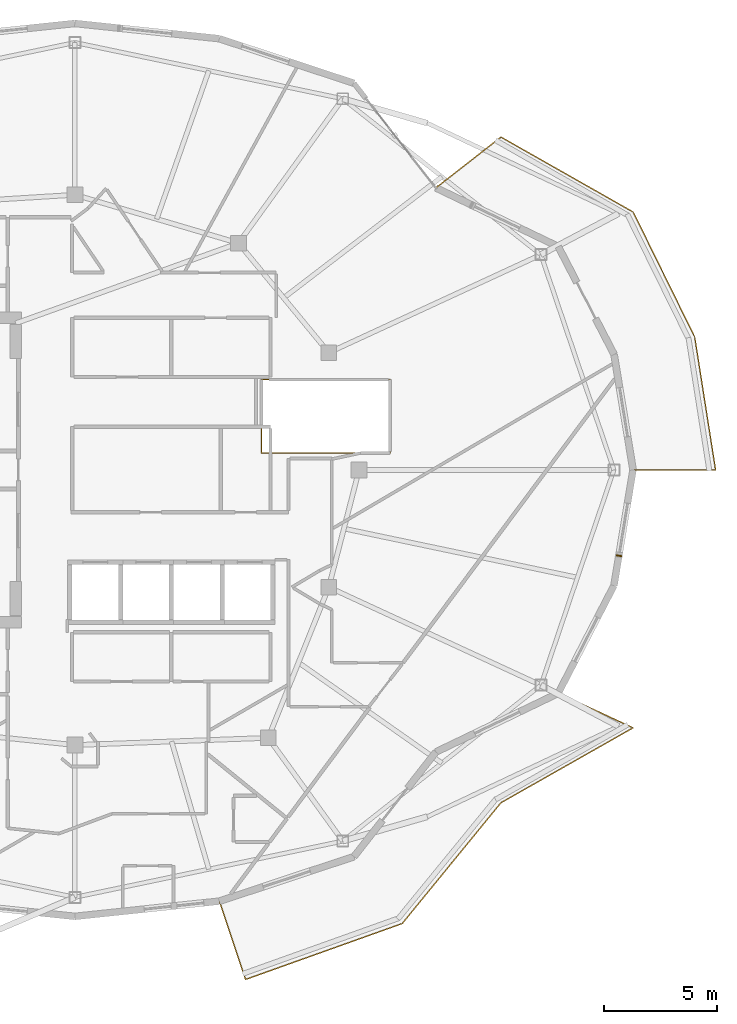
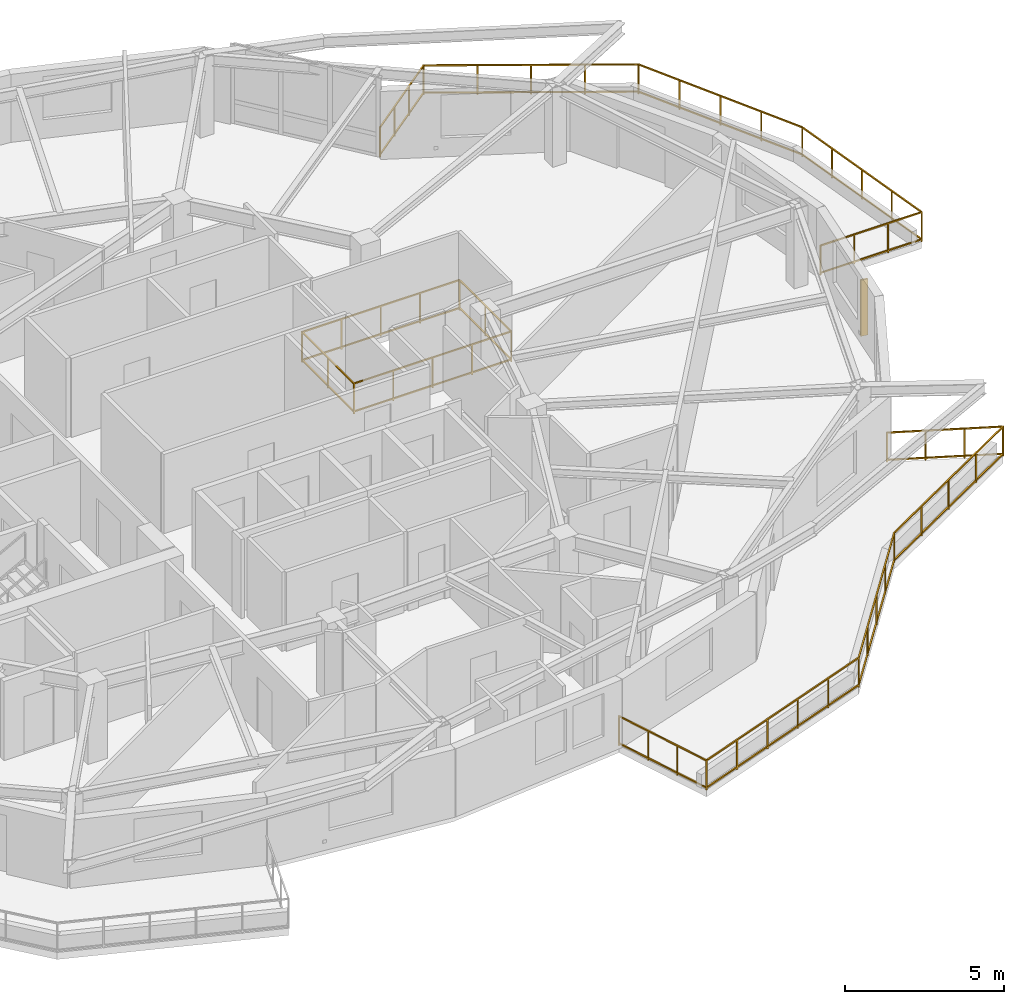
# One storey, part 11 of 12: 3 railings, 1 shading device.
"""IFC4 building model written with IfcOpenShell, lengths in metres."""

from ifc_helpers import new_model, si_unit, direction, frame, origin, origin_2d, place, context, subcontext, project, spatial, rectangle, extrude, material, type_object, element, save


model = new_model("IFC4")

# Units and contexts
model_context = context("Model", 3, precision=1e-05, world=origin(), true_north=direction((0.0, 1.0)))
body_context = subcontext(model_context, "Body", "Model", "MODEL_VIEW")
ifc_project = project(units=[si_unit("LENGTHUNIT", "METRE"), si_unit("AREAUNIT", "SQUARE_METRE"), si_unit("VOLUMEUNIT", "CUBIC_METRE"), si_unit("PLANEANGLEUNIT", "RADIAN"), si_unit("MASSUNIT", "GRAM", prefix="KILO")], contexts=[model_context])

# Site, building, storey
site_placement = place(None, origin())
site = spatial("IfcSite", under=ifc_project, at=site_placement, CompositionType="ELEMENT")
building_placement = place(site_placement, origin())
building = spatial("IfcBuilding", under=site, at=building_placement, Name="Kolvaren Gate Tower and Convention Centre", CompositionType="ELEMENT")
storey_placement = place(building_placement, frame((0.0, 0.0, 199.699951171875)))
storey = spatial("IfcBuildingStorey", under=building, at=storey_placement, Name="L52", CompositionType="ELEMENT", Elevation=199.699951171875)

# Railings
ifc_material_1 = material(Name="Laminated Tempered Safety Glass Balustrade 21.5 mm", Category="glass")
railing_type_1 = type_object("IfcRailingType", Name="ARCH-RL-BALUST-1180", PredefinedType="BALUSTRADE", material=ifc_material_1)
railing_1_placement = place(storey_placement, frame((38.39990234375, 27.75, 0.0)))
element("IfcRailing", 1, at=railing_1_placement, inside=storey, type_object=railing_type_1, Name="Tower L52 Atrium Void Safety Balustrade", PredefinedType="BALUSTRADE", context=body_context, shape_type="SweptSolid", body=[
    extrude(rectangle(XDim=0.048095703125, YDim=0.048095703125, at=origin_2d()), frame((0.028076171875, 0.0, 1.15576171875), z_axis=(1.0, 0.0, 0.0), x_axis=(0.0, 1.0, 0.0)), (0.0, 0.0, 1.0), 5.64404296875),
    extrude(rectangle(XDim=0.048095703125, YDim=0.048095703125, at=origin_2d()), frame((0.028076171875, 0.0, 0.083984375), z_axis=(1.0, 0.0, 0.0), x_axis=(0.0, 1.0, 0.0)), (0.0, 0.0, 1.0), 5.64404296875),
    extrude(rectangle(XDim=0.048095703125, YDim=0.048095703125, at=origin_2d()), frame((5.7001953125, 0.028076171875, 1.15576171875), z_axis=(0.0, 1.0, 0.0), x_axis=(-1.0, 0.0, 0.0)), (0.0, 0.0, 1.0), 3.19384765625),
    extrude(rectangle(XDim=0.048095703125, YDim=0.048095703125, at=origin_2d()), frame((5.7001953125, 0.028076171875, 0.083984375), z_axis=(0.0, 1.0, 0.0), x_axis=(-1.0, 0.0, 0.0)), (0.0, 0.0, 1.0), 3.19384765625),
    extrude(rectangle(XDim=0.048095703125, YDim=0.048095703125, at=origin_2d()), frame((5.672119140625, 3.25, 1.15576171875), z_axis=(-1.0, 0.0, 0.0), x_axis=(0.0, -1.0, 0.0)), (0.0, 0.0, 1.0), 5.64404296875),
    extrude(rectangle(XDim=0.048095703125, YDim=0.048095703125, at=origin_2d()), frame((5.672119140625, 3.25, 0.083984375), z_axis=(-1.0, 0.0, 0.0), x_axis=(0.0, -1.0, 0.0)), (0.0, 0.0, 1.0), 5.64404296875),
    extrude(rectangle(XDim=0.048095703125, YDim=0.048095703125, at=origin_2d()), frame((0.0, 3.221923828125, 1.15576171875), z_axis=(0.0, -1.0, 0.0), x_axis=(1.0, 0.0, 0.0)), (0.0, 0.0, 1.0), 3.19384765625),
    extrude(rectangle(XDim=0.048095703125, YDim=0.048095703125, at=origin_2d()), frame((0.0, 3.221923828125, 0.083984375), z_axis=(0.0, -1.0, 0.0), x_axis=(1.0, 0.0, 0.0)), (0.0, 0.0, 1.0), 3.19384765625),
    extrude(rectangle(XDim=0.0419921875, YDim=0.0419921875, at=origin_2d()), origin(), (0.0, 0.0, 1.0), 1.179931640625),
    extrude(rectangle(XDim=0.0419921875, YDim=0.0419921875, at=origin_2d()), frame((5.7001953125, 0.0, 0.0)), (0.0, 0.0, 1.0), 1.179931640625),
    extrude(rectangle(XDim=0.0419921875, YDim=0.0419921875, at=origin_2d()), frame((1.425048828125, 0.0, 0.0)), (0.0, 0.0, 1.0), 1.1298828125),
    extrude(rectangle(XDim=0.0419921875, YDim=0.0419921875, at=origin_2d()), frame((2.85009765625, 0.0, 0.0)), (0.0, 0.0, 1.0), 1.1298828125),
    extrude(rectangle(XDim=0.0419921875, YDim=0.0419921875, at=origin_2d()), frame((4.275146484375, 0.0, 0.0)), (0.0, 0.0, 1.0), 1.1298828125),
    extrude(rectangle(XDim=0.0419921875, YDim=0.0419921875, at=origin_2d()), frame((5.7001953125, 3.25, 0.0)), (0.0, 0.0, 1.0), 1.179931640625),
    extrude(rectangle(XDim=0.0419921875, YDim=0.0419921875, at=origin_2d()), frame((5.7001953125, 1.625, 0.0)), (0.0, 0.0, 1.0), 1.1298828125),
    extrude(rectangle(XDim=0.0419921875, YDim=0.0419921875, at=origin_2d()), frame((0.0, 3.25, 0.0)), (0.0, 0.0, 1.0), 1.179931640625),
    extrude(rectangle(XDim=0.0419921875, YDim=0.0419921875, at=origin_2d()), frame((4.275146484375, 3.25, 0.0)), (0.0, 0.0, 1.0), 1.1298828125),
    extrude(rectangle(XDim=0.0419921875, YDim=0.0419921875, at=origin_2d()), frame((2.85009765625, 3.25, 0.0)), (0.0, 0.0, 1.0), 1.1298828125),
    extrude(rectangle(XDim=0.0419921875, YDim=0.0419921875, at=origin_2d()), frame((1.425048828125, 3.25, 0.0)), (0.0, 0.0, 1.0), 1.1298828125),
    extrude(rectangle(XDim=0.0419921875, YDim=0.0419921875, at=origin_2d()), frame((0.0, 1.625, 0.0)), (0.0, 0.0, 1.0), 1.1298828125),
])
ifc_material_2 = material(Name="Brushed Stainless Steel Grade 316L", Category="steel")
railing_type_2 = type_object("IfcRailingType", Name="ARCH-RL-GUARD-1150", PredefinedType="GUARDRAIL", material=ifc_material_2)
railing_2_placement = place(storey_placement, frame((54.875, 27.0, 0.0)))
element("IfcRailing", 2, at=railing_2_placement, inside=storey, type_object=railing_type_2, Name="Tower L52 Terrace Perimeter Guardrail GR-1", PredefinedType="GUARDRAIL", context=body_context, shape_type="SweptSolid", body=[
    extrude(rectangle(XDim=0.048095703125, YDim=0.048095703125, at=origin_2d()), frame((0.028076171875, 0.0, 1.1259765625), z_axis=(1.0, 0.0, 0.0), x_axis=(0.0, 1.0, 0.0)), (0.0, 0.0, 1.0), 3.603759765625),
    extrude(rectangle(XDim=0.048095703125, YDim=0.048095703125, at=origin_2d()), frame((0.028076171875, 0.0, 0.083984375), z_axis=(1.0, 0.0, 0.0), x_axis=(0.0, 1.0, 0.0)), (0.0, 0.0, 1.0), 3.603759765625),
    extrude(rectangle(XDim=0.048095703125, YDim=0.048095703125, at=origin_2d()), frame((3.655517578125, 0.027587890625, 1.1259765625), z_axis=(-0.155031225865, 0.987909570258, 0.0), x_axis=(-0.987909570258, -0.155031225865, 0.0)), (0.0, 0.0, 1.0), 5.90771484375),
    extrude(rectangle(XDim=0.048095703125, YDim=0.048095703125, at=origin_2d()), frame((3.655517578125, 0.027587890625, 0.083984375), z_axis=(-0.155031225865, 0.987909570258, 0.0), x_axis=(-0.987909570258, -0.155031225865, 0.0)), (0.0, 0.0, 1.0), 5.90771484375),
    extrude(rectangle(XDim=0.048095703125, YDim=0.048095703125, at=origin_2d()), frame((2.722900390625, 5.916748046875, 1.1259765625), z_axis=(-0.441625304244, 0.897199582396, 0.0), x_axis=(-0.897199582396, -0.441625304244, 0.0)), (0.0, 0.0, 1.0), 6.122314453125),
    extrude(rectangle(XDim=0.048095703125, YDim=0.048095703125, at=origin_2d()), frame((2.722900390625, 5.916748046875, 0.083984375), z_axis=(-0.441625304244, 0.897199582396, 0.0), x_axis=(-0.897199582396, -0.441625304244, 0.0)), (0.0, 0.0, 1.0), 6.122314453125),
    extrude(rectangle(XDim=0.048095703125, YDim=0.048095703125, at=origin_2d()), frame((-0.017578125, 11.44873046875, 1.1259765625), z_axis=(-0.869876155964, 0.493270182846, 0.0), x_axis=(-0.493270182846, -0.869876155964, 0.0)), (0.0, 0.0, 1.0), 6.6865234375),
    extrude(rectangle(XDim=0.048095703125, YDim=0.048095703125, at=origin_2d()), frame((-0.017578125, 11.44873046875, 0.083984375), z_axis=(-0.869876155964, 0.493270182846, 0.0), x_axis=(-0.493270182846, -0.869876155964, 0.0)), (0.0, 0.0, 1.0), 6.6865234375),
    extrude(rectangle(XDim=0.048095703125, YDim=0.048095703125, at=origin_2d()), frame((-5.880615234375, 14.743408203125, 1.1259765625), z_axis=(-0.787988976981, -0.61568934712, 0.0), x_axis=(0.61568934712, -0.787988976981, 0.0)), (0.0, 0.0, 1.0), 3.60400390625),
    extrude(rectangle(XDim=0.048095703125, YDim=0.048095703125, at=origin_2d()), frame((-5.880615234375, 14.743408203125, 0.083984375), z_axis=(-0.787988976981, -0.61568934712, 0.0), x_axis=(0.61568934712, -0.787988976981, 0.0)), (0.0, 0.0, 1.0), 3.60400390625),
    extrude(rectangle(XDim=0.0419921875, YDim=0.0419921875, at=origin_2d()), origin(), (0.0, 0.0, 1.0), 1.14990234375),
    extrude(rectangle(XDim=0.0419921875, YDim=0.0419921875, at=origin_2d()), frame((3.659912109375, 0.0, 0.0)), (0.0, 0.0, 1.0), 1.14990234375),
    extrude(rectangle(XDim=0.0419921875, YDim=0.0419921875, at=origin_2d()), frame((1.219970703125, 0.0, 0.0)), (0.0, 0.0, 1.0), 1.099853515625),
    extrude(rectangle(XDim=0.0419921875, YDim=0.0419921875, at=origin_2d()), frame((2.43994140625, 0.0, 0.0)), (0.0, 0.0, 1.0), 1.099853515625),
    extrude(rectangle(XDim=0.0419921875, YDim=0.0419921875, at=origin_2d()), frame((2.7353515625, 5.8916015625, 0.0)), (0.0, 0.0, 1.0), 1.14990234375),
    extrude(rectangle(XDim=0.0419921875, YDim=0.0419921875, at=origin_2d()), frame((3.4287109375, 1.472900390625, 0.0)), (0.0, 0.0, 1.0), 1.099853515625),
    extrude(rectangle(XDim=0.0419921875, YDim=0.0419921875, at=origin_2d()), frame((3.19775390625, 2.94580078125, 0.0)), (0.0, 0.0, 1.0), 1.099853515625),
    extrude(rectangle(XDim=0.0419921875, YDim=0.0419921875, at=origin_2d()), frame((2.966552734375, 4.418701171875, 0.0)), (0.0, 0.0, 1.0), 1.099853515625),
    extrude(rectangle(XDim=0.0419921875, YDim=0.0419921875, at=origin_2d()), frame((0.0068359375, 11.434814453125, 0.0)), (0.0, 0.0, 1.0), 1.14990234375),
    extrude(rectangle(XDim=0.0419921875, YDim=0.0419921875, at=origin_2d()), frame((2.05322265625, 7.27734375, 0.0)), (0.0, 0.0, 1.0), 1.099853515625),
    extrude(rectangle(XDim=0.0419921875, YDim=0.0419921875, at=origin_2d()), frame((1.37109375, 8.6630859375, 0.0)), (0.0, 0.0, 1.0), 1.099853515625),
    extrude(rectangle(XDim=0.0419921875, YDim=0.0419921875, at=origin_2d()), frame((0.68896484375, 10.049072265625, 0.0)), (0.0, 0.0, 1.0), 1.099853515625),
    extrude(rectangle(XDim=0.0419921875, YDim=0.0419921875, at=origin_2d()), frame((-5.8583984375, 14.7607421875, 0.0)), (0.0, 0.0, 1.0), 1.14990234375),
    extrude(rectangle(XDim=0.0419921875, YDim=0.0419921875, at=origin_2d()), frame((-1.45947265625, 12.266357421875, 0.0)), (0.0, 0.0, 1.0), 1.099853515625),
    extrude(rectangle(XDim=0.0419921875, YDim=0.0419921875, at=origin_2d()), frame((-2.92578125, 13.09765625, 0.0)), (0.0, 0.0, 1.0), 1.099853515625),
    extrude(rectangle(XDim=0.0419921875, YDim=0.0419921875, at=origin_2d()), frame((-4.39208984375, 13.92919921875, 0.0)), (0.0, 0.0, 1.0), 1.099853515625),
    extrude(rectangle(XDim=0.0419921875, YDim=0.0419921875, at=origin_2d()), frame((-8.742431640625, 12.50732421875, 0.0)), (0.0, 0.0, 1.0), 1.14990234375),
    extrude(rectangle(XDim=0.0419921875, YDim=0.0419921875, at=origin_2d()), frame((-6.81982421875, 14.009521484375, 0.0)), (0.0, 0.0, 1.0), 1.099853515625),
    extrude(rectangle(XDim=0.0419921875, YDim=0.0419921875, at=origin_2d()), frame((-7.781005859375, 13.258544921875, 0.0)), (0.0, 0.0, 1.0), 1.099853515625),
])
railing_3_placement = place(storey_placement, frame((36.53076171875, 7.874755859375, 0.0)))
element("IfcRailing", 3, at=railing_3_placement, inside=storey, type_object=railing_type_2, Name="Tower L52 Terrace Perimeter Guardrail GR-4", PredefinedType="GUARDRAIL", context=body_context, shape_type="SweptSolid", body=[
    extrude(rectangle(XDim=0.048095703125, YDim=0.048095703125, at=origin_2d()), frame((0.0087890625, -0.026611328125, 1.1259765625), z_axis=(0.317588247294, -0.948228719867, 0.0), x_axis=(0.948228719867, 0.317588247294, 0.0)), (0.0, 0.0, 1.0), 3.603759765625),
    extrude(rectangle(XDim=0.048095703125, YDim=0.048095703125, at=origin_2d()), frame((0.0087890625, -0.026611328125, 0.083984375), z_axis=(0.317588247294, -0.948228719867, 0.0), x_axis=(0.948228719867, 0.317588247294, 0.0)), (0.0, 0.0, 1.0), 3.603759765625),
    extrude(rectangle(XDim=0.048095703125, YDim=0.048095703125, at=origin_2d()), frame((1.188720703125, -3.4609375, 1.1259765625), z_axis=(0.941783827204, 0.336219010197, 0.0), x_axis=(-0.336219010197, 0.941783827204, 0.0)), (0.0, 0.0, 1.0), 7.322265625),
    extrude(rectangle(XDim=0.048095703125, YDim=0.048095703125, at=origin_2d()), frame((1.188720703125, -3.4609375, 0.083984375), z_axis=(0.941783827204, 0.336219010197, 0.0), x_axis=(-0.336219010197, 0.941783827204, 0.0)), (0.0, 0.0, 1.0), 7.322265625),
    extrude(rectangle(XDim=0.048095703125, YDim=0.048095703125, at=origin_2d()), frame((8.12890625, -0.968017578125, 1.1259765625), z_axis=(0.632718487063, 0.77438189295, 0.0), x_axis=(-0.77438189295, 0.632718487063, 0.0)), (0.0, 0.0, 1.0), 6.858154296875),
    extrude(rectangle(XDim=0.048095703125, YDim=0.048095703125, at=origin_2d()), frame((8.12890625, -0.968017578125, 0.083984375), z_axis=(0.632718487063, 0.77438189295, 0.0), x_axis=(-0.77438189295, 0.632718487063, 0.0)), (0.0, 0.0, 1.0), 6.858154296875),
    extrude(rectangle(XDim=0.048095703125, YDim=0.048095703125, at=origin_2d()), frame((12.51025390625, 4.37841796875, 1.1259765625), z_axis=(0.869876155964, 0.493270182846, 0.0), x_axis=(-0.493270182846, 0.869876155964, 0.0)), (0.0, 0.0, 1.0), 6.6865234375),
    extrude(rectangle(XDim=0.048095703125, YDim=0.048095703125, at=origin_2d()), frame((12.51025390625, 4.37841796875, 0.083984375), z_axis=(0.869876155964, 0.493270182846, 0.0), x_axis=(-0.493270182846, 0.869876155964, 0.0)), (0.0, 0.0, 1.0), 6.6865234375),
    extrude(rectangle(XDim=0.048095703125, YDim=0.048095703125, at=origin_2d()), frame((18.32568359375, 7.7021484375, 1.1259765625), z_axis=(-0.907820723829, 0.419358478377, 0.0), x_axis=(-0.419358478377, -0.907820723829, 0.0)), (0.0, 0.0, 1.0), 3.60400390625),
    extrude(rectangle(XDim=0.048095703125, YDim=0.048095703125, at=origin_2d()), frame((18.32568359375, 7.7021484375, 0.083984375), z_axis=(-0.907820723829, 0.419358478377, 0.0), x_axis=(-0.419358478377, -0.907820723829, 0.0)), (0.0, 0.0, 1.0), 3.60400390625),
    extrude(rectangle(XDim=0.0419921875, YDim=0.0419921875, at=origin_2d()), origin(), (0.0, 0.0, 1.0), 1.14990234375),
    extrude(rectangle(XDim=0.0419921875, YDim=0.0419921875, at=origin_2d()), frame((1.162353515625, -3.470458984375, 0.0)), (0.0, 0.0, 1.0), 1.14990234375),
    extrude(rectangle(XDim=0.0419921875, YDim=0.0419921875, at=origin_2d()), frame((0.387451171875, -1.15673828125, 0.0)), (0.0, 0.0, 1.0), 1.099853515625),
    extrude(rectangle(XDim=0.0419921875, YDim=0.0419921875, at=origin_2d()), frame((0.77490234375, -2.313720703125, 0.0)), (0.0, 0.0, 1.0), 1.099853515625),
    extrude(rectangle(XDim=0.0419921875, YDim=0.0419921875, at=origin_2d()), frame((8.111083984375, -0.98974609375, 0.0)), (0.0, 0.0, 1.0), 1.14990234375),
    extrude(rectangle(XDim=0.0419921875, YDim=0.0419921875, at=origin_2d()), frame((2.552001953125, -2.974365234375, 0.0)), (0.0, 0.0, 1.0), 1.099853515625),
    extrude(rectangle(XDim=0.0419921875, YDim=0.0419921875, at=origin_2d()), frame((3.94189453125, -2.478271484375, 0.0)), (0.0, 0.0, 1.0), 1.099853515625),
    extrude(rectangle(XDim=0.0419921875, YDim=0.0419921875, at=origin_2d()), frame((5.33154296875, -1.98193359375, 0.0)), (0.0, 0.0, 1.0), 1.099853515625),
    extrude(rectangle(XDim=0.0419921875, YDim=0.0419921875, at=origin_2d()), frame((6.721435546875, -1.48583984375, 0.0)), (0.0, 0.0, 1.0), 1.099853515625),
    extrude(rectangle(XDim=0.0419921875, YDim=0.0419921875, at=origin_2d()), frame((12.48583984375, 4.364501953125, 0.0)), (0.0, 0.0, 1.0), 1.14990234375),
    extrude(rectangle(XDim=0.0419921875, YDim=0.0419921875, at=origin_2d()), frame((9.204833984375, 0.348876953125, 0.0)), (0.0, 0.0, 1.0), 1.099853515625),
    extrude(rectangle(XDim=0.0419921875, YDim=0.0419921875, at=origin_2d()), frame((10.29833984375, 1.6875, 0.0)), (0.0, 0.0, 1.0), 1.099853515625),
    extrude(rectangle(XDim=0.0419921875, YDim=0.0419921875, at=origin_2d()), frame((11.39208984375, 3.02587890625, 0.0)), (0.0, 0.0, 1.0), 1.099853515625),
    extrude(rectangle(XDim=0.0419921875, YDim=0.0419921875, at=origin_2d()), frame((18.35107421875, 7.6904296875, 0.0)), (0.0, 0.0, 1.0), 1.14990234375),
    extrude(rectangle(XDim=0.0419921875, YDim=0.0419921875, at=origin_2d()), frame((13.9521484375, 5.196044921875, 0.0)), (0.0, 0.0, 1.0), 1.099853515625),
    extrude(rectangle(XDim=0.0419921875, YDim=0.0419921875, at=origin_2d()), frame((15.41845703125, 6.02734375, 0.0)), (0.0, 0.0, 1.0), 1.099853515625),
    extrude(rectangle(XDim=0.0419921875, YDim=0.0419921875, at=origin_2d()), frame((16.884765625, 6.85888671875, 0.0)), (0.0, 0.0, 1.0), 1.099853515625),
    extrude(rectangle(XDim=0.0419921875, YDim=0.0419921875, at=origin_2d()), frame((15.0283203125, 9.225341796875, 0.0)), (0.0, 0.0, 1.0), 1.14990234375),
    extrude(rectangle(XDim=0.0419921875, YDim=0.0419921875, at=origin_2d()), frame((17.243408203125, 8.2021484375, 0.0)), (0.0, 0.0, 1.0), 1.099853515625),
    extrude(rectangle(XDim=0.0419921875, YDim=0.0419921875, at=origin_2d()), frame((16.135986328125, 8.713623046875, 0.0)), (0.0, 0.0, 1.0), 1.099853515625),
])

# Shading device
ifc_material_3 = material(Name="Kiln-Fired Bogota Terracotta Ceramic Louvre Profile", Category="masonry")
shading_device_type = type_object("IfcShadingDeviceType", Name="ARCH-SHD-FIN-180", PredefinedType="JALOUSIE", material=ifc_material_3)
shading_device_placement = place(storey_placement, frame((54.248779296875, 23.194580078125, 0.22021484375), z_axis=(0.0, 0.0, 1.0), x_axis=(0.162375401515, 0.986729055508, 0.0)))
element("IfcShadingDevice", 4, at=shading_device_placement, inside=storey, type_object=shading_device_type, Name="Ceramic Vertical Brise-Soleil Fin FN-L52-23", PredefinedType="JALOUSIE", context=body_context, shape_type="SweptSolid", body=[
    extrude(rectangle(XDim=0.06005859375, YDim=0.239990234375, at=origin_2d()), origin(), (0.0, 0.0, 1.0), 2.14990234375),
])

save(model, "model.ifc")
